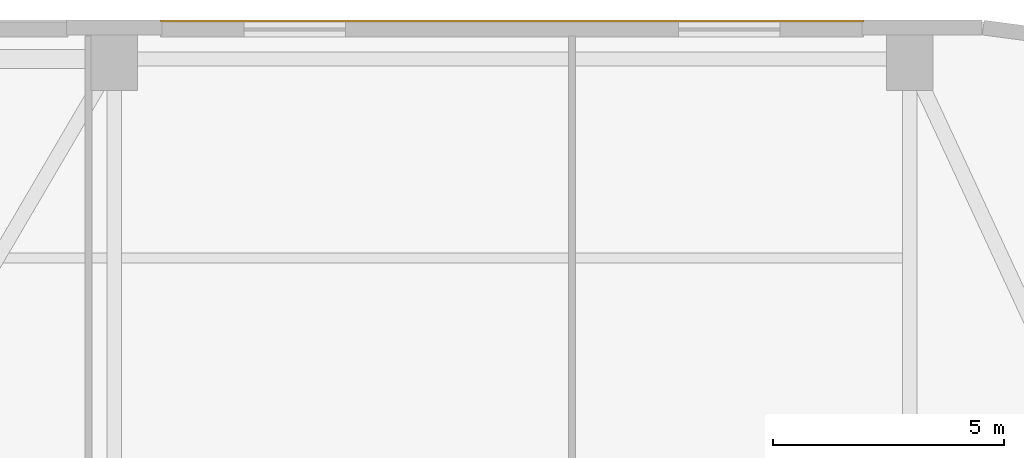
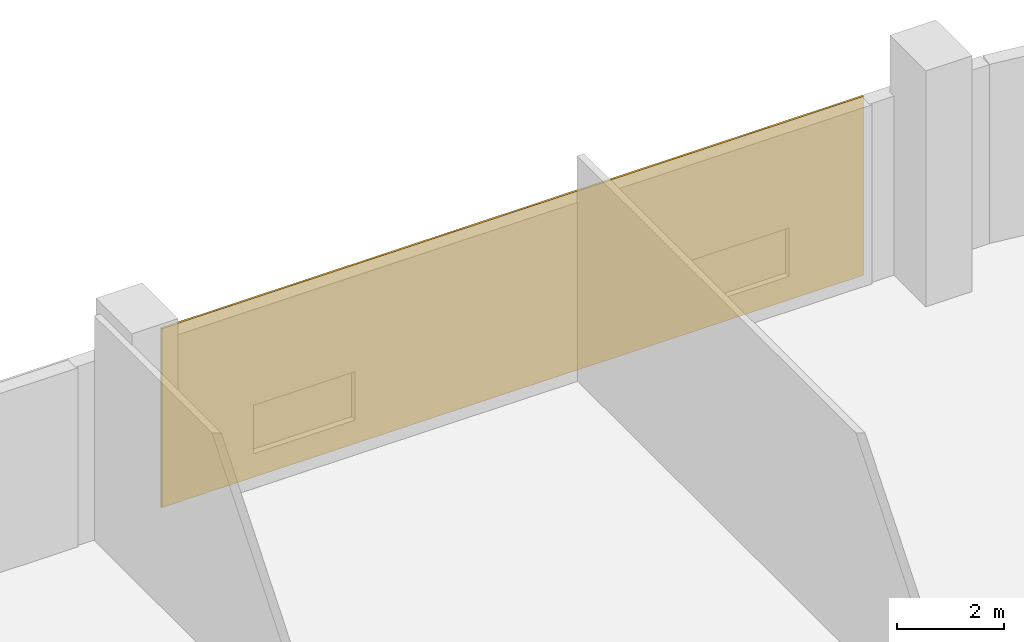
# One storey, part 31 of 31: 1 covering.
"""IFC4 building model written with IfcOpenShell, lengths in metres."""

from ifc_helpers import new_model, si_unit, direction, frame, origin, origin_2d, place, context, subcontext, project, spatial, rectangle, extrude, source, transform, mapped, material, layer, layer_set, type_object, element, save


model = new_model("IFC4")

# Units and contexts
model_context = context("Model", 3, precision=1e-05, world=origin(), true_north=direction((0.0, 1.0)))
body_context = subcontext(model_context, "Body", "Model", "MODEL_VIEW")
ifc_project = project(units=[si_unit("LENGTHUNIT", "METRE"), si_unit("AREAUNIT", "SQUARE_METRE"), si_unit("VOLUMEUNIT", "CUBIC_METRE"), si_unit("PLANEANGLEUNIT", "RADIAN"), si_unit("MASSUNIT", "GRAM", prefix="KILO")], contexts=[model_context])

# Site, building, storey
site_placement = place(None, origin())
site = spatial("IfcSite", under=ifc_project, at=site_placement, CompositionType="ELEMENT")
building_placement = place(site_placement, origin())
building = spatial("IfcBuilding", under=site, at=building_placement, Name="Varnelok Gate Tower", CompositionType="ELEMENT")
storey_placement = place(building_placement, frame((0.0, 0.0, 21.60009765625)))
storey = spatial("IfcBuildingStorey", under=building, at=storey_placement, Name="L04", CompositionType="ELEMENT", Elevation=21.60009765625)

# Covering
ifc_material = material(Name="Glazed Architectural Terracotta Ceramic", Category="masonry")
ifc_layer = layer(ifc_material, 0.044921875)
ifc_layer_set = layer_set([ifc_layer], Name="Glazed Architectural Terracotta Ceramic")
covering_type = type_object("IfcCoveringType", Name="COV-TERRA-CLAD", PredefinedType="CLADDING", material=ifc_layer_set)
shared_shape = source(origin(), body_context, "Body", "SweptSolid", [
    extrude(rectangle(XDim=15.199951171875, YDim=0.044921875, at=origin_2d()), origin(), (0.0, 0.0, 1.0), 4.10009765625),
])
covering_placement = place(storey_placement, frame((62.60009765625, 50.6220703125, -0.000244140625), z_axis=(0.0, 0.0, 1.0), x_axis=(1.0, 0.0, 0.0)))
element("IfcCovering", 1, at=covering_placement, inside=storey, type_object=covering_type, Name="L04 Terracotta Podium Rainscreen Cladding N3", PredefinedType="CLADDING", context=body_context, shape_type="MappedRepresentation", body=[
    mapped(shared_shape, transform((0.0, 0.0, 0.0), scale=1.0)),
])

save(model, "model.ifc")
